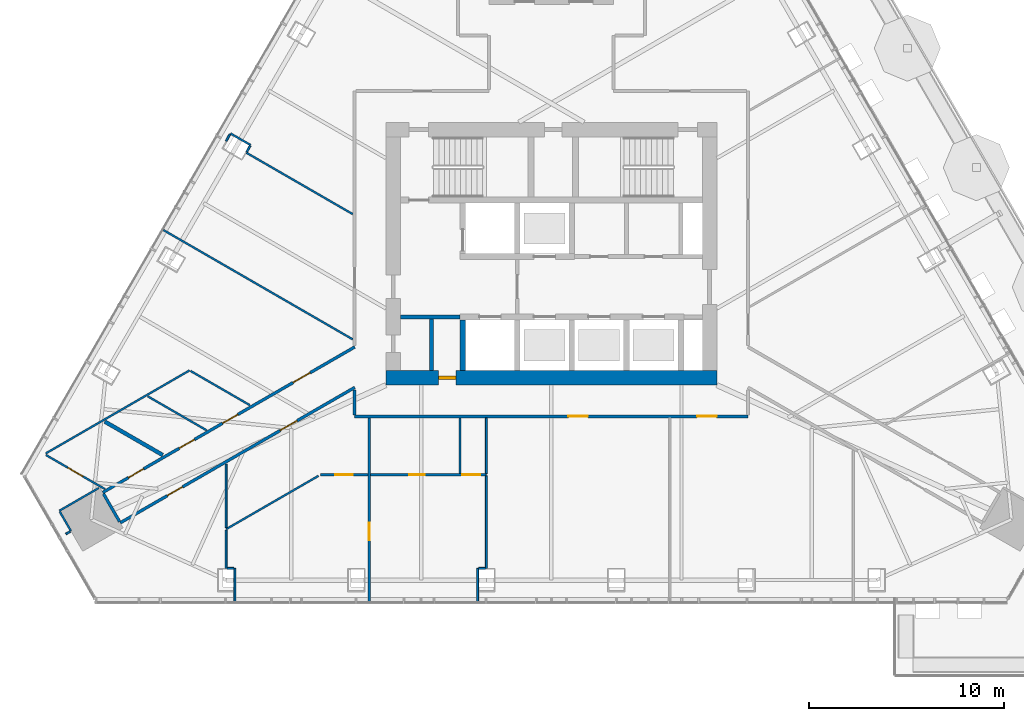
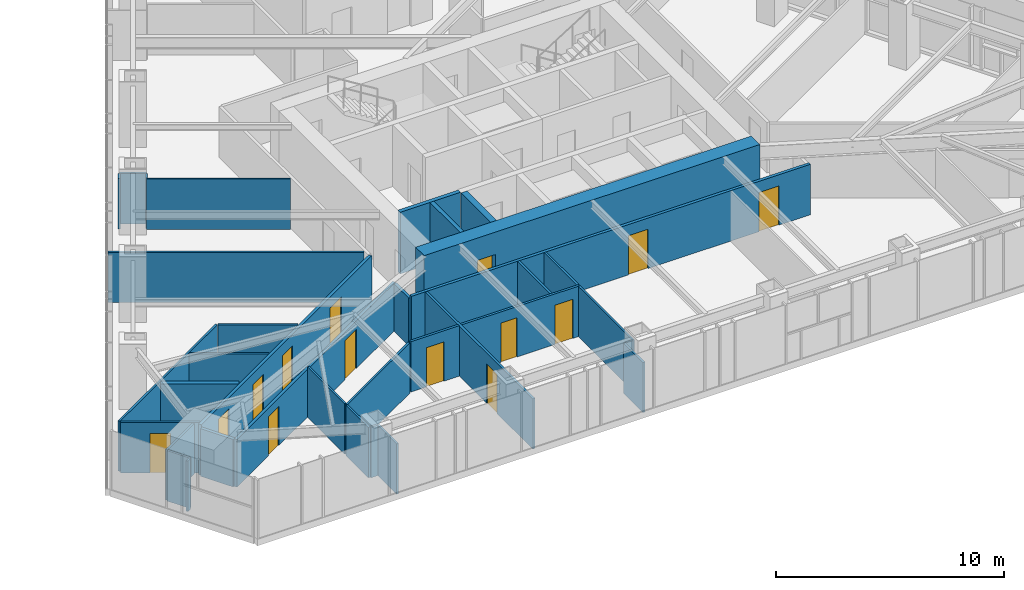
# One storey, part 17 of 24: 35 walls, 14 doors, 14 openings.
"""IFC4 building model written with IfcOpenShell, lengths in metres."""

from ifc_helpers import new_model, si_unit, direction, frame, frame_2d, origin, place, context, subcontext, project, spatial, rectangle, extrude, material, layer, layer_set, type_object, element, fill, save


model = new_model("IFC4")

# Units and contexts
model_context = context("Model", 3, precision=1e-05, world=origin(), true_north=direction((0.0, 1.0)))
body_context = subcontext(model_context, "Body", "Model", "MODEL_VIEW")
ifc_project = project(units=[si_unit("LENGTHUNIT", "METRE"), si_unit("AREAUNIT", "SQUARE_METRE"), si_unit("VOLUMEUNIT", "CUBIC_METRE"), si_unit("PLANEANGLEUNIT", "RADIAN"), si_unit("MASSUNIT", "GRAM", prefix="KILO")], contexts=[model_context])

# Site, building, storey
site_placement = place(None, origin())
site = spatial("IfcSite", under=ifc_project, at=site_placement, CompositionType="ELEMENT")
building_placement = place(site_placement, origin())
building = spatial("IfcBuilding", under=site, at=building_placement, Name="Firuza Gate Tower and Library", CompositionType="ELEMENT")
storey_placement = place(building_placement, frame((0.0, 0.0, 267.10009765625)))
storey = spatial("IfcBuildingStorey", under=building, at=storey_placement, Name="L63", CompositionType="ELEMENT", Elevation=267.10009765625)

# Walls
ifc_material_1 = material(Name="Plasterboard on steel studs", Category="steel")
ifc_layer_1 = layer(ifc_material_1, 0.199951171875)
ifc_layer_set_1 = layer_set([ifc_layer_1], Name="Core partition 200 EI 120")
wall_type_1 = type_object("IfcWallType", Name="Core partition 200 EI 120", PredefinedType="PARTITIONING", material=ifc_layer_set_1)
wall_1_placement = place(storey_placement, frame((67.25, 71.75, 0.0), z_axis=(0.0, 0.0, 1.0), x_axis=(1.0, 0.0, 0.0)))
element("IfcWall", 1, at=wall_1_placement, inside=storey, type_object=wall_type_1, Name="Core partition L63 1", PredefinedType="PARTITIONING", context=body_context, shape_type="SweptSolid", body=[
    extrude(rectangle(XDim=3.050048828125, YDim=0.199951171875, at=frame_2d((1.52490234375, 0.0))), origin(), (0.0, 0.0, 1.0), 3.2998046875),
])
wall_2_placement = place(storey_placement, frame((68.85009765625, 69.0, 0.0), z_axis=(0.0, 0.0, 1.0), x_axis=(0.0, 1.0, 0.0)))
element("IfcWall", 2, at=wall_2_placement, inside=storey, type_object=wall_type_1, Name="Core partition L63 4", PredefinedType="PARTITIONING", context=body_context, shape_type="SweptSolid", body=[
    extrude(rectangle(XDim=2.64990234375, YDim=0.199951171875, at=frame_2d((1.324951171875, 0.0))), origin(), (0.0, 0.0, 1.0), 3.2998046875),
])
ifc_material_2 = material(Name="Concrete C60/75", Category="concrete")
ifc_layer_2 = layer(ifc_material_2, 0.300048828125)
ifc_layer_set_2 = layer_set([ifc_layer_2], Name="Core wall 300 C60/75")
wall_type_2 = type_object("IfcWallType", Name="Core wall 300 C60/75", PredefinedType="SHEAR", material=ifc_layer_set_2)
wall_3_placement = place(storey_placement, frame((70.449951171875, 69.0, 0.0), z_axis=(0.0, 0.0, 1.0), x_axis=(0.0, 1.0, 0.0)))
element("IfcWall", 3, at=wall_3_placement, inside=storey, type_object=wall_type_2, Name="Core wall L63 7", PredefinedType="SHEAR", context=body_context, shape_type="SweptSolid", body=[
    extrude(rectangle(XDim=2.60009765625, YDim=0.300048828125, at=frame_2d((1.300048828125, 0.0))), origin(), (0.0, 0.0, 1.0), 3.2998046875),
])

# Wall, opening, door
ifc_material_3 = material(Name="Concrete C60/75", Category="concrete")
ifc_layer_3 = layer(ifc_material_3, 0.75)
ifc_layer_set_3 = layer_set([ifc_layer_3], Name="Core wall 750 C60/75")
wall_type_3 = type_object("IfcWallType", Name="Core wall 750 C60/75", PredefinedType="SHEAR", material=ifc_layer_set_3)
wall_4_placement = place(storey_placement, frame((66.5, 68.625, 0.0), z_axis=(0.0, 0.0, 1.0), x_axis=(1.0, 0.0, 0.0)))
wall_4 = element("IfcWall", 4, at=wall_4_placement, inside=storey, type_object=wall_type_3, Name="Core wall L63 1", PredefinedType="SHEAR", context=body_context, shape_type="SweptSolid", body=[
    extrude(rectangle(XDim=17.0, YDim=0.75, at=frame_2d((8.5, 0.0))), origin(), (0.0, 0.0, 1.0), 3.2998046875),
])
opening_1_placement = place(wall_4_placement, frame((2.699951171875, 0.0, 0.0)))
opening_1 = element("IfcOpeningElement", 5, at=opening_1_placement, cuts=wall_4, Name="Opening L63-K18", PredefinedType="OPENING", context=body_context, shape_type="SweptSolid", body=[
    extrude(rectangle(XDim=0.89990234375, YDim=2.10009765625, at=frame_2d((0.449951171875, 1.050048828125))), frame((0.0, 0.385009765625, 0.0), z_axis=(0.0, -1.0, 0.0), x_axis=(1.0, 0.0, 0.0)), (0.0, 0.0, 1.0), 0.77001953125),
])
ifc_material_4 = material(Name="Steel", Category="steel")
door_type_1 = type_object("IfcDoorType", Name="Fire door 900x2100 FD30S", OperationType="NOTDEFINED", PredefinedType="DOOR", material=ifc_material_4)
door_1_placement = place(opening_1_placement, origin())
door_1 = element("IfcDoor", 6, at=door_1_placement, inside=storey, type_object=door_type_1, Name="Door L63-K18", OperationType="SINGLE_SWING_LEFT", OverallHeight=2.10009765625, OverallWidth=0.89990234375, PredefinedType="DOOR", context=body_context, shape_type="SweptSolid", body=[
    extrude(rectangle(XDim=0.89990234375, YDim=2.10009765625, at=frame_2d((0.449951171875, 1.050048828125))), frame((0.0, 0.094970703125, 0.0), z_axis=(0.0, -1.0, 0.0), x_axis=(1.0, 0.0, 0.0)), (0.0, 0.0, 1.0), 0.18994140625),
])
fill(opening_1, door_1)

# Wall, openings, doors
ifc_material_5 = material(Name="Gypsum board partition")
ifc_layer_4 = layer(ifc_material_5, 0.14990234375)
ifc_layer_set_4 = layer_set([ifc_layer_4], Name="Corridor wall 150 double board on steel studs")
wall_type_4 = type_object("IfcWallType", Name="Corridor wall 150 double board on steel studs", PredefinedType="PARTITIONING", material=ifc_layer_set_4)
wall_5_placement = place(storey_placement, frame((85.099609375, 66.64990234375, 0.0), z_axis=(0.0, 0.0, 1.0), x_axis=(-1.0, 0.0, 0.0)))
wall_5 = element("IfcWall", 7, at=wall_5_placement, inside=storey, type_object=wall_type_4, Name="f:L63:w003", PredefinedType="PARTITIONING", context=body_context, shape_type="SweptSolid", body=[
    extrude(rectangle(XDim=20.19970703125, YDim=0.14990234375, at=frame_2d((10.099853515625, 0.0))), origin(), (0.0, 0.0, 1.0), 2.699951171875),
])
opening_2_placement = place(wall_5_placement, frame((1.610107421875, 0.0, 0.0)))
opening_2 = element("IfcOpeningElement", 8, at=opening_2_placement, cuts=wall_5, Name="Opening L63-02", PredefinedType="OPENING", context=body_context, shape_type="SweptSolid", body=[
    extrude(rectangle(XDim=1.0, YDim=2.10009765625, at=frame_2d((0.5, 1.050048828125))), frame((0.0, 0.0849609375, 0.0), z_axis=(0.0, -1.0, 0.0), x_axis=(1.0, 0.0, 0.0)), (0.0, 0.0, 1.0), 0.169921875),
])
opening_3_placement = place(wall_5_placement, frame((8.22900390625, 0.0, 0.0)))
opening_3 = element("IfcOpeningElement", 9, at=opening_3_placement, cuts=wall_5, Name="Opening L63-03", PredefinedType="OPENING", context=body_context, shape_type="SweptSolid", body=[
    extrude(rectangle(XDim=1.0, YDim=2.10009765625, at=frame_2d((0.5, 1.050048828125))), frame((0.0, 0.0849609375, 0.0), z_axis=(0.0, -1.0, 0.0), x_axis=(1.0, 0.0, 0.0)), (0.0, 0.0, 1.0), 0.169921875),
])
ifc_material_6 = material(Name="Steel door and timber leaf", Category="steel")
door_type_2 = type_object("IfcDoorType", Name="Fire door 1000 x 2100 steel frame, timber leaf", OperationType="NOTDEFINED", PredefinedType="DOOR", material=ifc_material_6)
door_2_placement = place(opening_2_placement, origin())
door_2 = element("IfcDoor", 10, at=door_2_placement, inside=storey, type_object=door_type_2, Name="f:L63:d002", OperationType="SINGLE_SWING_LEFT", OverallHeight=2.10009765625, OverallWidth=1.0, PredefinedType="DOOR", context=body_context, shape_type="SweptSolid", body=[
    extrude(rectangle(XDim=1.0, YDim=2.10009765625, at=frame_2d((0.5, 1.050048828125))), frame((0.0, 0.02490234375, 0.0), z_axis=(0.0, -1.0, 0.0), x_axis=(1.0, 0.0, 0.0)), (0.0, 0.0, 1.0), 0.050048828125),
])
fill(opening_2, door_2)
door_3_placement = place(opening_3_placement, origin())
door_3 = element("IfcDoor", 11, at=door_3_placement, inside=storey, type_object=door_type_2, Name="f:L63:d003", OperationType="SINGLE_SWING_RIGHT", OverallHeight=2.10009765625, OverallWidth=1.0, PredefinedType="DOOR", context=body_context, shape_type="SweptSolid", body=[
    extrude(rectangle(XDim=1.0, YDim=2.10009765625, at=frame_2d((0.5, 1.050048828125))), frame((0.0, 0.02490234375, 0.0), z_axis=(0.0, -1.0, 0.0), x_axis=(1.0, 0.0, 0.0)), (0.0, 0.0, 1.0), 0.050048828125),
])
fill(opening_3, door_3)

wall_6_placement = place(storey_placement, frame((64.89990234375, 68.129638671875, 0.0), z_axis=(0.0, 0.0, 1.0), x_axis=(-0.866020369651, -0.500008719273, 0.0)))
wall_6 = element("IfcWall", 12, at=wall_6_placement, inside=storey, type_object=wall_type_4, Name="f:L63:w015", PredefinedType="PARTITIONING", context=body_context, shape_type="SweptSolid", body=[
    extrude(rectangle(XDim=13.903564453125, YDim=0.14990234375, at=frame_2d((6.95166015625, 0.0))), origin(), (0.0, 0.0, 1.0), 2.546875),
])
opening_4_placement = place(wall_6_placement, frame((3.416015625, 0.0, 0.0)))
opening_4 = element("IfcOpeningElement", 13, at=opening_4_placement, cuts=wall_6, Name="Opening L63-08", PredefinedType="OPENING", context=body_context, shape_type="SweptSolid", body=[
    extrude(rectangle(XDim=1.0, YDim=2.10009765625, at=frame_2d((0.5, 1.050048828125))), frame((0.0, 0.0849609375, 0.0), z_axis=(0.0, -1.0, 0.0), x_axis=(1.0, 0.0, 0.0)), (0.0, 0.0, 1.0), 0.169921875),
])
opening_5_placement = place(wall_6_placement, frame((10.214599609375, 0.0, 0.0)))
opening_5 = element("IfcOpeningElement", 14, at=opening_5_placement, cuts=wall_6, Name="Opening L63-09", PredefinedType="OPENING", context=body_context, shape_type="SweptSolid", body=[
    extrude(rectangle(XDim=0.89990234375, YDim=2.10009765625, at=frame_2d((0.449951171875, 1.050048828125))), frame((0.0, 0.0849609375, 0.0), z_axis=(0.0, -1.0, 0.0), x_axis=(1.0, 0.0, 0.0)), (0.0, 0.0, 1.0), 0.169921875),
])
door_4_placement = place(opening_4_placement, origin())
door_4 = element("IfcDoor", 15, at=door_4_placement, inside=storey, type_object=door_type_2, Name="f:L63:d008", OperationType="SINGLE_SWING_RIGHT", OverallHeight=2.10009765625, OverallWidth=1.0, PredefinedType="DOOR", context=body_context, shape_type="SweptSolid", body=[
    extrude(rectangle(XDim=1.0, YDim=2.10009765625, at=frame_2d((0.5, 1.050048828125))), frame((0.0, 0.02490234375, 0.0), z_axis=(0.0, -1.0, 0.0), x_axis=(1.0, 0.0, 0.0)), (0.0, 0.0, 1.0), 0.050048828125),
])
fill(opening_4, door_4)
ifc_material_7 = material(Name="Steel door and timber leaf", Category="steel")
door_type_3 = type_object("IfcDoorType", Name="Fire door 900 x 2100 steel frame, timber leaf", OperationType="NOTDEFINED", PredefinedType="DOOR", material=ifc_material_7)
door_5_placement = place(opening_5_placement, origin())
door_5 = element("IfcDoor", 16, at=door_5_placement, inside=storey, type_object=door_type_3, Name="f:L63:d009", OperationType="SINGLE_SWING_RIGHT", OverallHeight=2.10009765625, OverallWidth=0.89990234375, PredefinedType="DOOR", context=body_context, shape_type="SweptSolid", body=[
    extrude(rectangle(XDim=0.89990234375, YDim=2.10009765625, at=frame_2d((0.449951171875, 1.050048828125))), frame((0.0, 0.02490234375, 0.0), z_axis=(0.0, -1.0, 0.0), x_axis=(1.0, 0.0, 0.0)), (0.0, 0.0, 1.0), 0.050048828125),
])
fill(opening_5, door_5)

wall_7_placement = place(storey_placement, frame((51.958740234375, 62.736328125, 0.0), z_axis=(0.0, 0.0, 1.0), x_axis=(0.866022614424, 0.500004831283, 0.0)))
wall_7 = element("IfcWall", 17, at=wall_7_placement, inside=storey, type_object=wall_type_4, Name="f:L63:w017", PredefinedType="PARTITIONING", context=body_context, shape_type="SweptSolid", body=[
    extrude(rectangle(XDim=14.943115234375, YDim=0.14990234375, at=frame_2d((7.4716796875, 0.0))), origin(), (0.0, 0.0, 1.0), 2.699951171875),
])
opening_6_placement = place(wall_7_placement, frame((1.522216796875, 0.0, 0.0)))
opening_6 = element("IfcOpeningElement", 18, at=opening_6_placement, cuts=wall_7, Name="Opening L63-10", PredefinedType="OPENING", context=body_context, shape_type="SweptSolid", body=[
    extrude(rectangle(XDim=0.89990234375, YDim=2.10009765625, at=frame_2d((0.449951171875, 1.050048828125))), frame((0.0, 0.0849609375, 0.0), z_axis=(0.0, -1.0, 0.0), x_axis=(1.0, 0.0, 0.0)), (0.0, 0.0, 1.0), 0.169921875),
])
opening_7_placement = place(wall_7_placement, frame((4.5390625, 0.0, 0.0)))
opening_7 = element("IfcOpeningElement", 19, at=opening_7_placement, cuts=wall_7, Name="Opening L63-11", PredefinedType="OPENING", context=body_context, shape_type="SweptSolid", body=[
    extrude(rectangle(XDim=0.89990234375, YDim=2.10009765625, at=frame_2d((0.449951171875, 1.050048828125))), frame((0.0, 0.0849609375, 0.0), z_axis=(0.0, -1.0, 0.0), x_axis=(1.0, 0.0, 0.0)), (0.0, 0.0, 1.0), 0.169921875),
])
opening_8_placement = place(wall_7_placement, frame((7.111083984375, 0.0, 0.0)))
opening_8 = element("IfcOpeningElement", 20, at=opening_8_placement, cuts=wall_7, Name="Opening L63-12", PredefinedType="OPENING", context=body_context, shape_type="SweptSolid", body=[
    extrude(rectangle(XDim=0.89990234375, YDim=2.10009765625, at=frame_2d((0.449951171875, 1.050048828125))), frame((0.0, 0.0849609375, 0.0), z_axis=(0.0, -1.0, 0.0), x_axis=(1.0, 0.0, 0.0)), (0.0, 0.0, 1.0), 0.169921875),
])
opening_9_placement = place(wall_7_placement, frame((11.293701171875, 0.0, 0.0)))
opening_9 = element("IfcOpeningElement", 21, at=opening_9_placement, cuts=wall_7, Name="Opening L63-13", PredefinedType="OPENING", context=body_context, shape_type="SweptSolid", body=[
    extrude(rectangle(XDim=1.0, YDim=2.10009765625, at=frame_2d((0.5, 1.050048828125))), frame((0.0, 0.0849609375, 0.0), z_axis=(0.0, -1.0, 0.0), x_axis=(1.0, 0.0, 0.0)), (0.0, 0.0, 1.0), 0.169921875),
])
door_6_placement = place(opening_9_placement, origin())
door_6 = element("IfcDoor", 22, at=door_6_placement, inside=storey, type_object=door_type_2, Name="f:L63:d013", OperationType="SINGLE_SWING_LEFT", OverallHeight=2.10009765625, OverallWidth=1.0, PredefinedType="DOOR", context=body_context, shape_type="SweptSolid", body=[
    extrude(rectangle(XDim=1.0, YDim=2.10009765625, at=frame_2d((0.5, 1.050048828125))), frame((0.0, 0.02490234375, 0.0), z_axis=(0.0, -1.0, 0.0), x_axis=(1.0, 0.0, 0.0)), (0.0, 0.0, 1.0), 0.050048828125),
])
fill(opening_9, door_6)
door_7_placement = place(opening_6_placement, origin())
door_7 = element("IfcDoor", 23, at=door_7_placement, inside=storey, type_object=door_type_3, Name="f:L63:d010", OperationType="SINGLE_SWING_RIGHT", OverallHeight=2.10009765625, OverallWidth=0.89990234375, PredefinedType="DOOR", context=body_context, shape_type="SweptSolid", body=[
    extrude(rectangle(XDim=0.89990234375, YDim=2.10009765625, at=frame_2d((0.449951171875, 1.050048828125))), frame((0.0, 0.02490234375, 0.0), z_axis=(0.0, -1.0, 0.0), x_axis=(1.0, 0.0, 0.0)), (0.0, 0.0, 1.0), 0.050048828125),
])
fill(opening_6, door_7)
door_8_placement = place(opening_7_placement, origin())
door_8 = element("IfcDoor", 24, at=door_8_placement, inside=storey, type_object=door_type_3, Name="f:L63:d011", OperationType="SINGLE_SWING_LEFT", OverallHeight=2.10009765625, OverallWidth=0.89990234375, PredefinedType="DOOR", context=body_context, shape_type="SweptSolid", body=[
    extrude(rectangle(XDim=0.89990234375, YDim=2.10009765625, at=frame_2d((0.449951171875, 1.050048828125))), frame((0.0, 0.02490234375, 0.0), z_axis=(0.0, -1.0, 0.0), x_axis=(1.0, 0.0, 0.0)), (0.0, 0.0, 1.0), 0.050048828125),
])
fill(opening_7, door_8)
door_9_placement = place(opening_8_placement, origin())
door_9 = element("IfcDoor", 25, at=door_9_placement, inside=storey, type_object=door_type_3, Name="f:L63:d012", OperationType="SINGLE_SWING_RIGHT", OverallHeight=2.10009765625, OverallWidth=0.89990234375, PredefinedType="DOOR", context=body_context, shape_type="SweptSolid", body=[
    extrude(rectangle(XDim=0.89990234375, YDim=2.10009765625, at=frame_2d((0.449951171875, 1.050048828125))), frame((0.0, 0.02490234375, 0.0), z_axis=(0.0, -1.0, 0.0), x_axis=(1.0, 0.0, 0.0)), (0.0, 0.0, 1.0), 0.050048828125),
])
fill(opening_8, door_9)

# Walls
wall_8_placement = place(storey_placement, frame((64.89990234375, 66.72509765625, 0.0), z_axis=(0.0, 0.0, 1.0), x_axis=(0.0, 1.0, 0.0)))
element("IfcWall", 26, at=wall_8_placement, inside=storey, type_object=wall_type_4, Name="f:L63:w046", PredefinedType="PARTITIONING", context=body_context, shape_type="SweptSolid", body=[
    extrude(rectangle(XDim=1.267822265625, YDim=0.14990234375, at=frame_2d((0.6337890625, 0.0))), origin(), (0.0, 0.0, 1.0), 2.546875),
])
wall_9_placement = place(storey_placement, frame((52.8212890625, 61.242919921875, 0.0), z_axis=(0.0, 0.0, 1.0), x_axis=(-0.499970888758, 0.866042210515, 0.0)))
element("IfcWall", 27, at=wall_9_placement, inside=storey, type_object=wall_type_4, Name="f:L63:w052", PredefinedType="PARTITIONING", context=body_context, shape_type="SweptSolid", body=[
    extrude(rectangle(XDim=1.64453125, YDim=0.14990234375, at=frame_2d((0.822265625, 0.0))), origin(), (0.0, 0.0, 1.0), 2.546875),
])
ifc_material_8 = material(Name="Gypsum board partition")
ifc_layer_5 = layer(ifc_material_8, 0.199951171875)
ifc_layer_set_5 = layer_set([ifc_layer_5], Name="Demising wall 200 acoustic double stud")
wall_type_5 = type_object("IfcWallType", Name="Demising wall 200 acoustic double stud", PredefinedType="PARTITIONING", material=ifc_layer_set_5)
wall_10_placement = place(storey_placement, frame((55.0390625, 64.66162109375, 0.0), z_axis=(0.0, 0.0, 1.0), x_axis=(-0.866036273972, 0.49998117181, 0.0)))
element("IfcWall", 28, at=wall_10_placement, inside=storey, type_object=wall_type_5, Name="f:L63:w065", PredefinedType="PARTITIONING", context=body_context, shape_type="SweptSolid", body=[
    extrude(rectangle(XDim=3.430908203125, YDim=0.199951171875, at=frame_2d((1.71533203125, 0.0))), origin(), (0.0, 0.0, 1.0), 2.699951171875),
])
ifc_material_9 = material(Name="Gypsum board partition")
ifc_layer_6 = layer(ifc_material_9, 0.10009765625)
ifc_layer_set_6 = layer_set([ifc_layer_6], Name="Partition 100 gypsum board on steel studs")
wall_type_6 = type_object("IfcWallType", Name="Partition 100 gypsum board on steel studs", PredefinedType="PARTITIONING", material=ifc_layer_set_6)
wall_11_placement = place(storey_placement, frame((58.34326171875, 58.839111328125, 0.0), z_axis=(0.0, 0.0, 1.0), x_axis=(1.0, 0.0, 0.0)))
element("IfcWall", 29, at=wall_11_placement, inside=storey, type_object=wall_type_6, Name="f:L63:w000", PredefinedType="PARTITIONING", context=body_context, shape_type="SweptSolid", body=[
    extrude(rectangle(XDim=0.349609375, YDim=0.10009765625, at=frame_2d((0.1748046875, 0.0))), origin(), (0.0, 0.0, 1.0), 2.699951171875),
])
wall_12_placement = place(storey_placement, frame((71.25927734375, 58.839111328125, 0.0), z_axis=(0.0, 0.0, 1.0), x_axis=(1.0, 0.0, 0.0)))
element("IfcWall", 30, at=wall_12_placement, inside=storey, type_object=wall_type_6, Name="f:L63:w001", PredefinedType="PARTITIONING", context=body_context, shape_type="SweptSolid", body=[
    extrude(rectangle(XDim=0.348876953125, YDim=0.10009765625, at=frame_2d((0.17431640625, 0.0))), origin(), (0.0, 0.0, 1.0), 2.699951171875),
])
wall_13_placement = place(storey_placement, frame((58.293212890625, 60.85107421875, 0.0), z_axis=(0.0, 0.0, 1.0), x_axis=(0.866026762963, 0.499997645826, 0.0)))
element("IfcWall", 31, at=wall_13_placement, inside=storey, type_object=wall_type_6, Name="f:L63:w014", PredefinedType="PARTITIONING", context=body_context, shape_type="SweptSolid", body=[
    extrude(rectangle(XDim=5.47802734375, YDim=0.10009765625, at=frame_2d((2.739013671875, 0.0))), origin(), (0.0, 0.0, 1.0), 2.699951171875),
])
wall_14_placement = place(storey_placement, frame((50.0703125, 60.60693359375, 0.0), z_axis=(0.0, 0.0, 1.0), x_axis=(0.866071776036, 0.499919672301, 0.0)))
element("IfcWall", 32, at=wall_14_placement, inside=storey, type_object=wall_type_6, Name="f:L63:w016", PredefinedType="PARTITIONING", context=body_context, shape_type="SweptSolid", body=[
    extrude(rectangle(XDim=0.25, YDim=0.10009765625, at=frame_2d((0.125, 0.0))), origin(), (0.0, 0.0, 1.0), 2.699951171875),
])
wall_15_placement = place(storey_placement, frame((49.730224609375, 61.796142578125, 0.0), z_axis=(0.0, 0.0, 1.0), x_axis=(0.86603458294, 0.499984100898, 0.0)))
element("IfcWall", 33, at=wall_15_placement, inside=storey, type_object=wall_type_6, Name="f:L63:w018", PredefinedType="PARTITIONING", context=body_context, shape_type="SweptSolid", body=[
    extrude(rectangle(XDim=2.34228515625, YDim=0.10009765625, at=frame_2d((1.171142578125, 0.0))), origin(), (0.0, 0.0, 1.0), 2.699951171875),
])
wall_16_placement = place(storey_placement, frame((49.0302734375, 64.74072265625, 0.0), z_axis=(0.0, 0.0, 1.0), x_axis=(0.866019796467, 0.500009712033, 0.0)))
element("IfcWall", 34, at=wall_16_placement, inside=storey, type_object=wall_type_6, Name="f:L63:w020", PredefinedType="PARTITIONING", context=body_context, shape_type="SweptSolid", body=[
    extrude(rectangle(XDim=8.533935546875, YDim=0.10009765625, at=frame_2d((4.26708984375, 0.0))), origin(), (0.0, 0.0, 1.0), 2.699951171875),
])
wall_17_placement = place(storey_placement, frame((59.35888671875, 80.23046875, 0.0), z_axis=(0.0, 0.0, 1.0), x_axis=(0.499539972301, 0.866290838041, 0.0)))
element("IfcWall", 35, at=wall_17_placement, inside=storey, type_object=wall_type_6, Name="f:L63:w027", PredefinedType="PARTITIONING", context=body_context, shape_type="SweptSolid", body=[
    extrude(rectangle(XDim=0.347412109375, YDim=0.10009765625, at=frame_2d((0.173828125, 0.0))), origin(), (0.0, 0.0, 1.0), 2.699951171875),
])
wall_18_placement = place(storey_placement, frame((58.29443359375, 80.786865234375, 0.0), z_axis=(0.0, 0.0, 1.0), x_axis=(0.500165123728, 0.865930048564, 0.0)))
element("IfcWall", 36, at=wall_18_placement, inside=storey, type_object=wall_type_6, Name="f:L63:w029", PredefinedType="PARTITIONING", context=body_context, shape_type="SweptSolid", body=[
    extrude(rectangle(XDim=0.397705078125, YDim=0.10009765625, at=frame_2d((0.19873046875, 0.0))), origin(), (0.0, 0.0, 1.0), 2.699951171875),
])
wall_19_placement = place(storey_placement, frame((71.658935546875, 58.83984375, 0.0), z_axis=(0.0, 0.0, 1.0), x_axis=(0.0, 1.0, 0.0)))
element("IfcWall", 37, at=wall_19_placement, inside=storey, type_object=wall_type_6, Name="f:L63:w041", PredefinedType="PARTITIONING", context=body_context, shape_type="SweptSolid", body=[
    extrude(rectangle(XDim=4.750244140625, YDim=0.10009765625, at=frame_2d((2.375, 0.0))), origin(), (0.0, 0.0, 1.0), 2.699951171875),
])
for number, where, z_axis, x_axis, name in (
    (38, (71.208984375, 57.13916015625, 0.0), (0.0, 0.0, 1.0), (0.0, 1.0, 0.0), "f:L63:w042"),
    (39, (58.742919921875, 57.13916015625, 0.0), (0.0, 0.0, 1.0), (0.0, 1.0, 0.0), "f:L63:w048"),
):
    element("IfcWall", number, at=place(storey_placement, frame(where, z_axis=z_axis, x_axis=x_axis)), inside=storey, type_object=wall_type_6, Name=name, PredefinedType="PARTITIONING", context=body_context, shape_type="SweptSolid", body=[
        extrude(rectangle(XDim=1.699462890625, YDim=0.10009765625, at=frame_2d((0.849609375, 0.0))), origin(), (0.0, 0.0, 1.0), 2.68798828125),
    ])
wall_20_placement = place(storey_placement, frame((58.29296875, 58.83935546875, 0.0), z_axis=(0.0, 0.0, 1.0), x_axis=(0.0, 1.0, 0.0)))
element("IfcWall", 40, at=wall_20_placement, inside=storey, type_object=wall_type_6, Name="f:L63:w049", PredefinedType="PARTITIONING", context=body_context, shape_type="SweptSolid", body=[
    extrude(rectangle(XDim=1.968505859375, YDim=0.10009765625, at=frame_2d((0.984375, 0.0))), origin(), (0.0, 0.0, 1.0), 2.699951171875),
])
wall_21_placement = place(storey_placement, frame((50.33056640625, 60.757080078125, 0.0), z_axis=(0.0, 0.0, 1.0), x_axis=(-0.500157339417, 0.865934544771, 0.0)))
element("IfcWall", 41, at=wall_21_placement, inside=storey, type_object=wall_type_6, Name="f:L63:w053", PredefinedType="PARTITIONING", context=body_context, shape_type="SweptSolid", body=[
    extrude(rectangle(XDim=1.150146484375, YDim=0.10009765625, at=frame_2d((0.5751953125, 0.0))), origin(), (0.0, 0.0, 1.0), 2.699951171875),
])
wall_22_placement = place(storey_placement, frame((59.55712890625, 80.577880859375, 0.0), z_axis=(0.0, 0.0, 1.0), x_axis=(-0.866035997947, 0.499981649923, 0.0)))
element("IfcWall", 42, at=wall_22_placement, inside=storey, type_object=wall_type_6, Name="f:L63:w060", PredefinedType="PARTITIONING", context=body_context, shape_type="SweptSolid", body=[
    extrude(rectangle(XDim=1.19580078125, YDim=0.10009765625, at=frame_2d((0.597900390625, 0.0))), origin(), (0.0, 0.0, 1.0), 2.68798828125),
])
wall_23_placement = place(storey_placement, frame((64.79931640625, 77.03173828125, 0.0), z_axis=(0.0, 0.0, 1.0), x_axis=(-0.866032246126, 0.49998814853, 0.0)))
element("IfcWall", 43, at=wall_23_placement, inside=storey, type_object=wall_type_6, Name="f:L63:w061", PredefinedType="PARTITIONING", context=body_context, shape_type="SweptSolid", body=[
    extrude(rectangle(XDim=6.310302734375, YDim=0.10009765625, at=frame_2d((3.1552734375, 0.0))), origin(), (0.0, 0.0, 1.0), 2.699951171875),
])
wall_24_placement = place(storey_placement, frame((64.799072265625, 70.60107421875, 0.0), z_axis=(0.0, 0.0, 1.0), x_axis=(-0.86602224969, 0.500005463012, 0.0)))
element("IfcWall", 44, at=wall_24_placement, inside=storey, type_object=wall_type_6, Name="f:L63:w062", PredefinedType="PARTITIONING", context=body_context, shape_type="SweptSolid", body=[
    extrude(rectangle(XDim=11.225830078125, YDim=0.10009765625, at=frame_2d((5.61279296875, 0.0))), origin(), (0.0, 0.0, 1.0), 2.68798828125),
])
wall_25_placement = place(storey_placement, frame((59.52001953125, 67.218505859375, 0.0), z_axis=(0.0, 0.0, 1.0), x_axis=(-0.866011216541, 0.500024572222, 0.0)))
element("IfcWall", 45, at=wall_25_placement, inside=storey, type_object=wall_type_6, Name="f:L63:w063", PredefinedType="PARTITIONING", context=body_context, shape_type="SweptSolid", body=[
    extrude(rectangle(XDim=3.520751953125, YDim=0.10009765625, at=frame_2d((1.76025390625, 0.0))), origin(), (0.0, 0.0, 1.0), 2.699951171875),
])
wall_26_placement = place(storey_placement, frame((57.292236328125, 65.93212890625, 0.0), z_axis=(0.0, 0.0, 1.0), x_axis=(-0.866017863565, 0.500013059815, 0.0)))
element("IfcWall", 46, at=wall_26_placement, inside=storey, type_object=wall_type_6, Name="f:L63:w064", PredefinedType="PARTITIONING", context=body_context, shape_type="SweptSolid", body=[
    extrude(rectangle(XDim=3.49072265625, YDim=0.10009765625, at=frame_2d((1.745361328125, 0.0))), origin(), (0.0, 0.0, 1.0), 2.699951171875),
])

# Wall, opening, door
wall_27_placement = place(storey_placement, frame((49.049072265625, 64.657958984375, 0.0), z_axis=(0.0, 0.0, 1.0), x_axis=(0.866031592922, -0.499989279946, 0.0)))
wall_27 = element("IfcWall", 47, at=wall_27_placement, inside=storey, type_object=wall_type_6, Name="f:L63:w066", PredefinedType="PARTITIONING", context=body_context, shape_type="SweptSolid", body=[
    extrude(rectangle(XDim=3.48486328125, YDim=0.10009765625, at=frame_2d((1.742431640625, 0.0))), origin(), (0.0, 0.0, 1.0), 2.699951171875),
])
opening_10_placement = place(wall_27_placement, frame((1.29248046875, 0.0, 0.0)))
opening_10 = element("IfcOpeningElement", 48, at=opening_10_placement, cuts=wall_27, Name="Opening L63-21", PredefinedType="OPENING", context=body_context, shape_type="SweptSolid", body=[
    extrude(rectangle(XDim=0.89990234375, YDim=2.10009765625, at=frame_2d((0.449951171875, 1.050048828125))), frame((0.0, 0.06005859375, 0.0), z_axis=(0.0, -1.0, 0.0), x_axis=(1.0, 0.0, 0.0)), (0.0, 0.0, 1.0), 0.1201171875),
])
ifc_material_10 = material(Name="Timber door", Category="wood")
door_type_4 = type_object("IfcDoorType", Name="Door 900 x 2100 timber leaf", OperationType="NOTDEFINED", PredefinedType="DOOR", material=ifc_material_10)
door_10_placement = place(opening_10_placement, origin())
door_10 = element("IfcDoor", 49, at=door_10_placement, inside=storey, type_object=door_type_4, Name="f:L63:d021", OperationType="SINGLE_SWING_RIGHT", OverallHeight=2.10009765625, OverallWidth=0.89990234375, PredefinedType="DOOR", context=body_context, shape_type="SweptSolid", body=[
    extrude(rectangle(XDim=0.89990234375, YDim=2.10009765625, at=frame_2d((0.449951171875, 1.050048828125))), frame((0.0, 0.02490234375, 0.0), z_axis=(0.0, -1.0, 0.0), x_axis=(1.0, 0.0, 0.0)), (0.0, 0.0, 1.0), 0.050048828125),
])
fill(opening_10, door_10)

# Walls
wall_28_placement = place(storey_placement, frame((71.658935546875, 63.7099609375, 0.0), z_axis=(0.0, 0.0, 1.0), x_axis=(0.0, 1.0, 0.0)))
element("IfcWall", 50, at=wall_28_placement, inside=storey, type_object=wall_type_6, Name="f:L63:w067", PredefinedType="PARTITIONING", context=body_context, shape_type="SweptSolid", body=[
    extrude(rectangle(XDim=2.864990234375, YDim=0.10009765625, at=frame_2d((1.4326171875, 0.0))), origin(), (0.0, 0.0, 1.0), 2.699951171875),
])
wall_29_placement = place(storey_placement, frame((58.29296875, 60.9375, 0.0), z_axis=(0.0, 0.0, 1.0), x_axis=(0.0, 1.0, 0.0)))
element("IfcWall", 51, at=wall_29_placement, inside=storey, type_object=wall_type_6, Name="f:L63:w068", PredefinedType="PARTITIONING", context=body_context, shape_type="SweptSolid", body=[
    extrude(rectangle(XDim=3.260986328125, YDim=0.10009765625, at=frame_2d((1.63037109375, 0.0))), origin(), (0.0, 0.0, 1.0), 2.699951171875),
])

# Wall, opening, door
ifc_material_11 = material(Name="Gypsum board partition")
ifc_layer_7 = layer(ifc_material_11, 0.1201171875)
ifc_layer_set_7 = layer_set([ifc_layer_7], Name="Wet-area partition 120 moisture-resistant board")
wall_type_7 = type_object("IfcWallType", Name="Wet-area partition 120 moisture-resistant board", PredefinedType="PARTITIONING", material=ifc_layer_set_7)
wall_30_placement = place(storey_placement, frame((65.583984375, 63.64990234375, 0.0), z_axis=(0.0, 0.0, 1.0), x_axis=(-1.0, 0.0, 0.0)))
wall_30 = element("IfcWall", 52, at=wall_30_placement, inside=storey, type_object=wall_type_7, Name="f:L63:w002", PredefinedType="PARTITIONING", context=body_context, shape_type="SweptSolid", body=[
    extrude(rectangle(XDim=2.44287109375, YDim=0.1201171875, at=frame_2d((1.221435546875, 0.0))), origin(), (0.0, 0.0, 1.0), 2.699951171875),
])
opening_11_placement = place(wall_30_placement, frame((0.771484375, 0.0, 0.0)))
opening_11 = element("IfcOpeningElement", 53, at=opening_11_placement, cuts=wall_30, Name="Opening L63-01", PredefinedType="OPENING", context=body_context, shape_type="SweptSolid", body=[
    extrude(rectangle(XDim=0.89990234375, YDim=2.10009765625, at=frame_2d((0.449951171875, 1.050048828125))), frame((0.0, 0.070068359375, 0.0), z_axis=(0.0, -1.0, 0.0), x_axis=(1.0, 0.0, 0.0)), (0.0, 0.0, 1.0), 0.14013671875),
])
door_11_placement = place(opening_11_placement, origin())
door_11 = element("IfcDoor", 54, at=door_11_placement, inside=storey, type_object=door_type_4, Name="f:L63:d001", OperationType="SINGLE_SWING_LEFT", OverallHeight=2.10009765625, OverallWidth=0.89990234375, PredefinedType="DOOR", context=body_context, shape_type="SweptSolid", body=[
    extrude(rectangle(XDim=0.89990234375, YDim=2.10009765625, at=frame_2d((0.449951171875, 1.050048828125))), frame((0.0, 0.02490234375, 0.0), z_axis=(0.0, -1.0, 0.0), x_axis=(1.0, 0.0, 0.0)), (0.0, 0.0, 1.0), 0.050048828125),
])
fill(opening_11, door_11)

# Wall
wall_31_placement = place(storey_placement, frame((70.31103515625, 63.7099609375, 0.0), z_axis=(0.0, 0.0, 1.0), x_axis=(0.0, 1.0, 0.0)))
element("IfcWall", 55, at=wall_31_placement, inside=storey, type_object=wall_type_7, Name="f:L63:w043", PredefinedType="PARTITIONING", context=body_context, shape_type="SweptSolid", body=[
    extrude(rectangle(XDim=2.864990234375, YDim=0.1201171875, at=frame_2d((1.4326171875, 0.0))), origin(), (0.0, 0.0, 1.0), 2.699951171875),
])

# Wall, opening, door
wall_32_placement = place(storey_placement, frame((65.64404296875, 66.574951171875, 0.0), z_axis=(0.0, 0.0, 1.0), x_axis=(0.0, -1.0, 0.0)))
wall_32 = element("IfcWall", 56, at=wall_32_placement, inside=storey, type_object=wall_type_7, Name="f:L63:w045", PredefinedType="PARTITIONING", context=body_context, shape_type="SweptSolid", body=[
    extrude(rectangle(XDim=9.435791015625, YDim=0.1201171875, at=frame_2d((4.7177734375, 0.0))), origin(), (0.0, 0.0, 1.0), 2.68798828125),
])
opening_12_placement = place(wall_32_placement, frame((5.38037109375, 0.0, 0.0)))
opening_12 = element("IfcOpeningElement", 57, at=opening_12_placement, cuts=wall_32, Name="Opening L63-17", PredefinedType="OPENING", context=body_context, shape_type="SweptSolid", body=[
    extrude(rectangle(XDim=0.89990234375, YDim=2.10009765625, at=frame_2d((0.449951171875, 1.050048828125))), frame((0.0, 0.070068359375, 0.0), z_axis=(0.0, -1.0, 0.0), x_axis=(1.0, 0.0, 0.0)), (0.0, 0.0, 1.0), 0.14013671875),
])
door_12_placement = place(opening_12_placement, origin())
door_12 = element("IfcDoor", 58, at=door_12_placement, inside=storey, type_object=door_type_4, Name="f:L63:d017", OperationType="SINGLE_SWING_LEFT", OverallHeight=2.10009765625, OverallWidth=0.89990234375, PredefinedType="DOOR", context=body_context, shape_type="SweptSolid", body=[
    extrude(rectangle(XDim=0.89990234375, YDim=2.10009765625, at=frame_2d((0.449951171875, 1.050048828125))), frame((0.0, 0.02490234375, 0.0), z_axis=(0.0, -1.0, 0.0), x_axis=(1.0, 0.0, 0.0)), (0.0, 0.0, 1.0), 0.050048828125),
])
fill(opening_12, door_12)

# Wall, openings, doors
wall_33_placement = place(storey_placement, frame((65.7041015625, 63.64990234375, 0.0), z_axis=(0.0, 0.0, 1.0), x_axis=(1.0, 0.0, 0.0)))
wall_33 = element("IfcWall", 59, at=wall_33_placement, inside=storey, type_object=wall_type_7, Name="f:L63:w069", PredefinedType="PARTITIONING", context=body_context, shape_type="SweptSolid", body=[
    extrude(rectangle(XDim=5.95458984375, YDim=0.1201171875, at=frame_2d((2.977294921875, 0.0))), origin(), (0.0, 0.0, 1.0), 2.699951171875),
])
opening_13_placement = place(wall_33_placement, frame((2.00341796875, 0.0, 0.0)))
opening_13 = element("IfcOpeningElement", 60, at=opening_13_placement, cuts=wall_33, Name="Opening L63-22", PredefinedType="OPENING", context=body_context, shape_type="SweptSolid", body=[
    extrude(rectangle(XDim=0.800048828125, YDim=2.10009765625, at=frame_2d((0.39990234375, 1.050048828125))), frame((0.0, 0.070068359375, 0.0), z_axis=(0.0, -1.0, 0.0), x_axis=(1.0, 0.0, 0.0)), (0.0, 0.0, 1.0), 0.14013671875),
])
opening_14_placement = place(wall_33_placement, frame((4.730712890625, 0.0, 0.0)))
opening_14 = element("IfcOpeningElement", 61, at=opening_14_placement, cuts=wall_33, Name="Opening L63-23", PredefinedType="OPENING", context=body_context, shape_type="SweptSolid", body=[
    extrude(rectangle(XDim=0.89990234375, YDim=2.10009765625, at=frame_2d((0.449951171875, 1.050048828125))), frame((0.0, 0.070068359375, 0.0), z_axis=(0.0, -1.0, 0.0), x_axis=(1.0, 0.0, 0.0)), (0.0, 0.0, 1.0), 0.14013671875),
])
ifc_material_12 = material(Name="Timber door", Category="wood")
door_type_5 = type_object("IfcDoorType", Name="Door 800 x 2100 timber leaf", OperationType="NOTDEFINED", PredefinedType="DOOR", material=ifc_material_12)
door_13_placement = place(opening_13_placement, origin())
door_13 = element("IfcDoor", 62, at=door_13_placement, inside=storey, type_object=door_type_5, Name="f:L63:d022", OperationType="SINGLE_SWING_RIGHT", OverallHeight=2.10009765625, OverallWidth=0.800048828125, PredefinedType="DOOR", context=body_context, shape_type="SweptSolid", body=[
    extrude(rectangle(XDim=0.800048828125, YDim=2.10009765625, at=frame_2d((0.39990234375, 1.050048828125))), frame((0.0, 0.02490234375, 0.0), z_axis=(0.0, -1.0, 0.0), x_axis=(1.0, 0.0, 0.0)), (0.0, 0.0, 1.0), 0.050048828125),
])
fill(opening_13, door_13)
door_14_placement = place(opening_14_placement, origin())
door_14 = element("IfcDoor", 63, at=door_14_placement, inside=storey, type_object=door_type_4, Name="f:L63:d023", OperationType="SINGLE_SWING_LEFT", OverallHeight=2.10009765625, OverallWidth=0.89990234375, PredefinedType="DOOR", context=body_context, shape_type="SweptSolid", body=[
    extrude(rectangle(XDim=0.89990234375, YDim=2.10009765625, at=frame_2d((0.449951171875, 1.050048828125))), frame((0.0, 0.02490234375, 0.0), z_axis=(0.0, -1.0, 0.0), x_axis=(1.0, 0.0, 0.0)), (0.0, 0.0, 1.0), 0.050048828125),
])
fill(opening_14, door_14)

save(model, "model.ifc")
